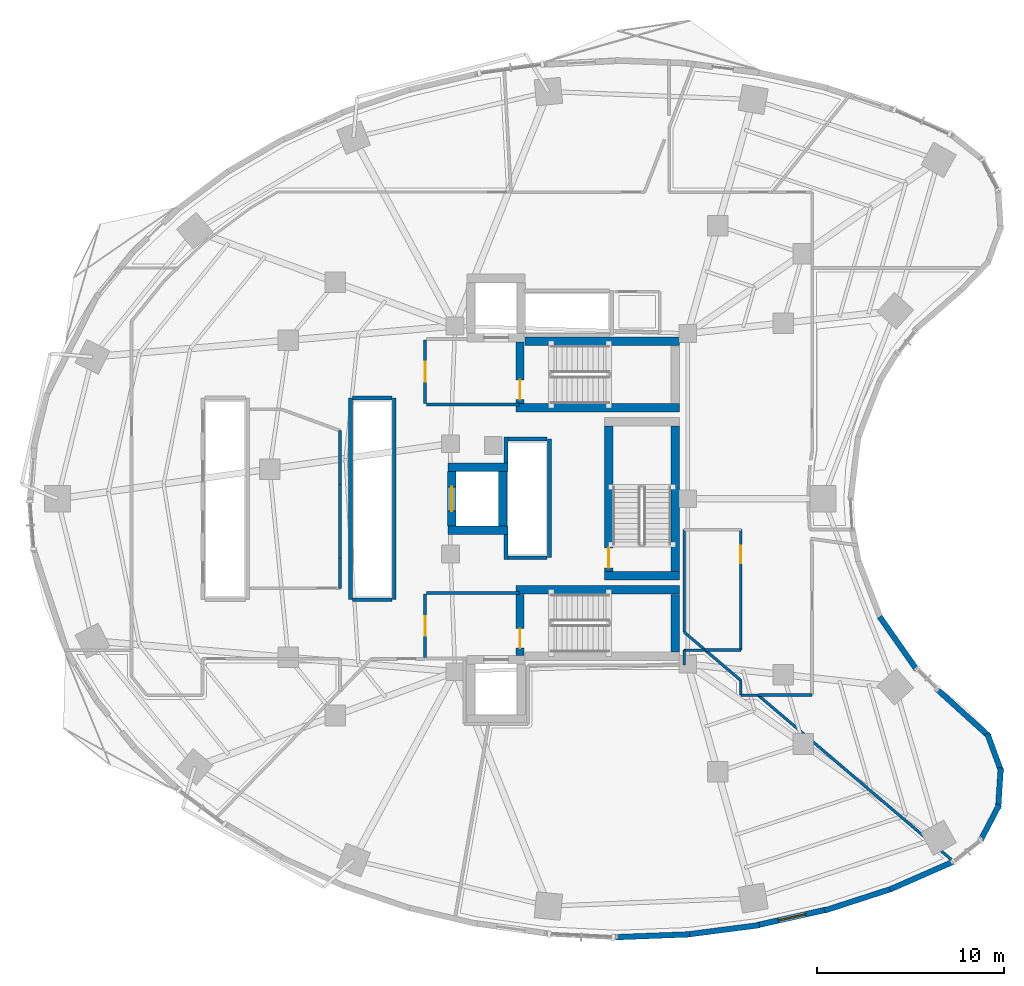
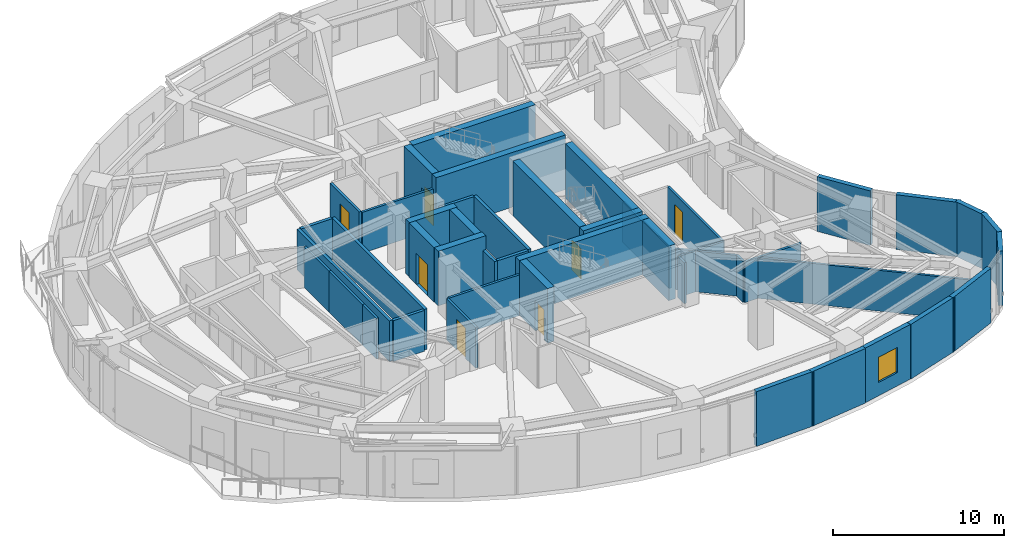
# One storey, part 9 of 14: 50 walls, 7 doors, 1 window, 8 openings.
"""IFC4 building model written with IfcOpenShell, lengths in metres."""

from ifc_helpers import new_model, si_unit, direction, frame, frame_2d, origin, place, context, subcontext, project, spatial, rectangle, extrude, material, layer, layer_set, type_object, element, fill, save


model = new_model("IFC4")

# Units and contexts
model_context = context("Model", 3, precision=1e-05, world=origin(), true_north=direction((0.0, 1.0)))
body_context = subcontext(model_context, "Body", "Model", "MODEL_VIEW")
ifc_project = project(units=[si_unit("LENGTHUNIT", "METRE"), si_unit("AREAUNIT", "SQUARE_METRE"), si_unit("VOLUMEUNIT", "CUBIC_METRE"), si_unit("PLANEANGLEUNIT", "RADIAN"), si_unit("MASSUNIT", "GRAM", prefix="KILO")], contexts=[model_context])

# Site, building, storey
site_placement = place(None, origin())
site = spatial("IfcSite", under=ifc_project, at=site_placement, CompositionType="ELEMENT")
building_placement = place(site_placement, origin())
building = spatial("IfcBuilding", under=site, at=building_placement, Name="Korentha Bioscience Tower", CompositionType="ELEMENT")
storey_placement = place(building_placement, frame((0.0, 0.0, 46.800048828125)))
storey = spatial("IfcBuildingStorey", under=building, at=storey_placement, Name="L10", CompositionType="ELEMENT", Elevation=46.800048828125)

# Wall, opening, door
ifc_material_1 = material(Name="Double-Stud Acoustic Gypsum", Category="gypsum")
ifc_layer_1 = layer(ifc_material_1, 0.14990234375, Name="Double-Stud Acoustic Gypsum")
ifc_layer_set_1 = layer_set([ifc_layer_1], Name="Double-Stud Acoustic Gypsum (IW-L150)")
wall_type_1 = type_object("IfcWallType", Name="Acoustic Laboratory Partition Wall 150", PredefinedType="PARTITIONING", material=ifc_layer_set_1)
wall_1_placement = place(storey_placement, frame((40.389892578125, 25.347900390625, 0.0), z_axis=(0.0, 0.0, 1.0), x_axis=(0.0, -1.0, 0.0)))
wall_1 = element("IfcWall", 1, at=wall_1_placement, inside=storey, type_object=wall_type_1, Name="L10 Biomechanical Motion Analysis Lab 04 Entrance Wall", PredefinedType="PARTITIONING", context=body_context, shape_type="SweptSolid", body=[
    extrude(rectangle(XDim=6.44580078125, YDim=0.14990234375, at=frame_2d((3.222900390625, 0.0))), origin(), (0.0, 0.0, 1.0), 2.909912109375),
])
opening_1_placement = place(wall_1_placement, frame((0.85205078125, 0.0, 0.0)))
opening_1 = element("IfcOpeningElement", 2, at=opening_1_placement, cuts=wall_1, Name="Opening ID-10L", PredefinedType="OPENING", context=body_context, shape_type="SweptSolid", body=[
    extrude(rectangle(XDim=0.949951171875, YDim=2.14990234375, at=frame_2d((0.47509765625, 1.074951171875))), frame((0.0, 0.08984375, 0.0), z_axis=(0.0, -1.0, 0.0), x_axis=(1.0, 0.0, 0.0)), (0.0, 0.0, 1.0), 0.1796875),
])
ifc_material_2 = material(Name="Phenolic Laminate Timber Core", Category="wood")
door_type_1 = type_object("IfcDoorType", Name="Laboratory Single Leaf Door 950x2150 Left", OperationType="SINGLE_SWING_LEFT", PredefinedType="DOOR", material=ifc_material_2)
door_1_placement = place(opening_1_placement, origin())
door_1 = element("IfcDoor", 3, at=door_1_placement, inside=storey, type_object=door_type_1, Name="L10 Biomechanical Motion Analysis Lab 04 Door", OperationType="SINGLE_SWING_LEFT", OverallHeight=2.14990234375, OverallWidth=0.949951171875, PredefinedType="DOOR", context=body_context, shape_type="SweptSolid", body=[
    extrude(rectangle(XDim=0.949951171875, YDim=2.14990234375, at=frame_2d((0.47509765625, 1.074951171875))), frame((0.0, 0.02490234375, 0.0), z_axis=(0.0, -1.0, 0.0), x_axis=(1.0, 0.0, 0.0)), (0.0, 0.0, 1.0), 0.050048828125),
])
fill(opening_1, door_1)

# Walls
wall_2_placement = place(storey_placement, frame((18.947998046875, 30.646728515625, 0.0), z_axis=(0.0, 0.0, 1.0), x_axis=(0.0, -1.0, 0.0)))
element("IfcWall", 4, at=wall_2_placement, inside=storey, type_object=wall_type_1, Name="L10 Interior Partition 017", PredefinedType="PARTITIONING", context=body_context, shape_type="SweptSolid", body=[
    extrude(rectangle(XDim=2.873291015625, YDim=0.14990234375, at=frame_2d((1.4365234375, 0.0))), origin(), (0.0, 0.0, 1.0), 2.909912109375),
])
wall_3_placement = place(storey_placement, frame((18.947998046875, 27.769287109375, 0.0), z_axis=(0.0, 0.0, 1.0), x_axis=(0.0, -1.0, 0.0)))
element("IfcWall", 5, at=wall_3_placement, inside=storey, type_object=wall_type_1, Name="L10 Interior Partition 018", PredefinedType="PARTITIONING", context=body_context, shape_type="SweptSolid", body=[
    extrude(rectangle(XDim=3.927978515625, YDim=0.14990234375, at=frame_2d((1.9638671875, 0.0))), origin(), (0.0, 0.0, 1.0), 2.909912109375),
])
wall_4_placement = place(storey_placement, frame((18.947998046875, 23.836669921875, 0.0), z_axis=(0.0, 0.0, 1.0), x_axis=(0.0, -1.0, 0.0)))
element("IfcWall", 6, at=wall_4_placement, inside=storey, type_object=wall_type_1, Name="L10 Interior Partition 019", PredefinedType="PARTITIONING", context=body_context, shape_type="SweptSolid", body=[
    extrude(rectangle(XDim=1.626708984375, YDim=0.14990234375, at=frame_2d((0.8134765625, 0.0))), origin(), (0.0, 0.0, 1.0), 2.909912109375),
])
wall_5_placement = place(storey_placement, frame((37.360107421875, 18.10009765625, 0.0), z_axis=(0.0, 0.0, 1.0), x_axis=(0.0, 1.0, 0.0)))
element("IfcWall", 7, at=wall_5_placement, inside=storey, type_object=wall_type_1, Name="L10 Interior Partition 033", PredefinedType="PARTITIONING", context=body_context, shape_type="SweptSolid", body=[
    extrude(rectangle(XDim=0.7978515625, YDim=0.14990234375, at=frame_2d((0.39892578125, 0.0))), origin(), (0.0, 0.0, 1.0), 2.909912109375),
])
wall_6_placement = place(storey_placement, frame((37.360107421875, 18.89794921875, 0.0), z_axis=(0.0, 0.0, 1.0), x_axis=(1.0, 0.0, 0.0)))
element("IfcWall", 8, at=wall_6_placement, inside=storey, type_object=wall_type_1, Name="L10 Interior Partition 034", PredefinedType="PARTITIONING", context=body_context, shape_type="SweptSolid", body=[
    extrude(rectangle(XDim=1.12548828125, YDim=0.14990234375, at=frame_2d((0.562744140625, 0.0))), origin(), (0.0, 0.0, 1.0), 2.909912109375),
])
wall_7_placement = place(storey_placement, frame((38.48828125, 18.905029296875, 0.0), z_axis=(0.0, 0.0, 1.0), x_axis=(-0.761520352861, 0.648140997144, 0.0)))
element("IfcWall", 9, at=wall_7_placement, inside=storey, type_object=wall_type_1, Name="L10 Interior Partition 035", PredefinedType="PARTITIONING", context=body_context, shape_type="SweptSolid", body=[
    extrude(rectangle(XDim=1.4814453125, YDim=0.14990234375, at=frame_2d((0.74072265625, 0.0))), origin(), (0.0, 0.0, 1.0), 2.909912109375),
])
wall_8_placement = place(storey_placement, frame((37.360107421875, 19.865234375, 0.0), z_axis=(0.0, 0.0, 1.0), x_axis=(0.0, 1.0, 0.0)))
element("IfcWall", 10, at=wall_8_placement, inside=storey, type_object=wall_type_1, Name="L10 Interior Partition 036", PredefinedType="PARTITIONING", context=body_context, shape_type="SweptSolid", body=[
    extrude(rectangle(XDim=5.482666015625, YDim=0.14990234375, at=frame_2d((2.7412109375, 0.0))), origin(), (0.0, 0.0, 1.0), 2.909912109375),
])
wall_9_placement = place(storey_placement, frame((40.389892578125, 18.902099609375, 0.0), z_axis=(0.0, 0.0, 1.0), x_axis=(-1.0, 0.0, 0.0)))
element("IfcWall", 11, at=wall_9_placement, inside=storey, type_object=wall_type_1, Name="L10 Interior Partition 038", PredefinedType="PARTITIONING", context=body_context, shape_type="SweptSolid", body=[
    extrude(rectangle(XDim=1.893310546875, YDim=0.14990234375, at=frame_2d((0.94677734375, 0.0))), origin(), (0.0, 0.0, 1.0), 2.909912109375),
])
wall_10_placement = place(storey_placement, frame((38.493896484375, 18.89501953125, 0.0), z_axis=(0.0, 0.0, 1.0), x_axis=(0.761508496716, -0.648154927027, 0.0)))
element("IfcWall", 12, at=wall_10_placement, inside=storey, type_object=wall_type_1, Name="L10 Interior Partition 039", PredefinedType="PARTITIONING", context=body_context, shape_type="SweptSolid", body=[
    extrude(rectangle(XDim=2.48974609375, YDim=0.14990234375, at=frame_2d((1.244873046875, 0.0))), origin(), (0.0, 0.0, 1.0), 2.909912109375),
])
wall_11_placement = place(storey_placement, frame((40.389892578125, 17.28125, 0.0), z_axis=(0.0, 0.0, 1.0), x_axis=(0.0, -1.0, 0.0)))
element("IfcWall", 13, at=wall_11_placement, inside=storey, type_object=wall_type_1, Name="L10 Interior Partition 040", PredefinedType="PARTITIONING", context=body_context, shape_type="SweptSolid", body=[
    extrude(rectangle(XDim=0.78125, YDim=0.14990234375, at=frame_2d((0.390625, 0.0))), origin(), (0.0, 0.0, 1.0), 2.909912109375),
])
wall_12_placement = place(storey_placement, frame((40.39990234375, 16.489990234375, 0.0), z_axis=(0.0, 0.0, 1.0), x_axis=(1.0, 0.0, 0.0)))
element("IfcWall", 14, at=wall_12_placement, inside=storey, type_object=wall_type_1, Name="L10 Interior Partition 041", PredefinedType="PARTITIONING", context=body_context, shape_type="SweptSolid", body=[
    extrude(rectangle(XDim=0.919677734375, YDim=0.14990234375, at=frame_2d((0.4599609375, 0.0))), origin(), (0.0, 0.0, 1.0), 2.909912109375),
])
wall_13_placement = place(storey_placement, frame((41.319580078125, 16.489990234375, 0.0), z_axis=(0.0, 0.0, 1.0), x_axis=(0.761541613682, -0.648116016335, 0.0)))
element("IfcWall", 15, at=wall_13_placement, inside=storey, type_object=wall_type_1, Name="L10 Interior Partition 042", PredefinedType="PARTITIONING", context=body_context, shape_type="SweptSolid", body=[
    extrude(rectangle(XDim=13.833740234375, YDim=0.14990234375, at=frame_2d((6.9169921875, 0.0))), origin(), (0.0, 0.0, 1.0), 2.909912109375),
])

# Wall, opening, door
ifc_material_3 = material(Name="Gypsum-Clad Steel Stud", Category="steel")
ifc_layer_2 = layer(ifc_material_3, 0.159912109375, Name="Gypsum-Clad Steel Stud")
ifc_layer_set_2 = layer_set([ifc_layer_2], Name="Gypsum-Clad Steel Stud (IW-C160)")
wall_type_2 = type_object("IfcWallType", Name="Fire-Rated Corridor Partition Wall 160", PredefinedType="PARTITIONING", material=ifc_layer_set_2)
wall_14_placement = place(storey_placement, frame((23.5, 32.10009765625, 0.0), z_axis=(0.0, 0.0, 1.0), x_axis=(0.0, 1.0, 0.0)))
wall_14 = element("IfcWall", 16, at=wall_14_placement, inside=storey, type_object=wall_type_2, Name="L10 FFLN-CW Rated Enclosure Wall", PredefinedType="PARTITIONING", context=body_context, shape_type="SweptSolid", body=[
    extrude(rectangle(XDim=3.39990234375, YDim=0.159912109375, at=frame_2d((1.699951171875, 0.0))), origin(), (0.0, 0.0, 1.0), 2.909912109375),
])
opening_2_placement = place(wall_14_placement, frame((1.175048828125, 0.0, 0.0)))
opening_2 = element("IfcOpeningElement", 17, at=opening_2_placement, cuts=wall_14, Name="Opening FD-90L", PredefinedType="OPENING", context=body_context, shape_type="SweptSolid", body=[
    extrude(rectangle(XDim=1.050048828125, YDim=2.14990234375, at=frame_2d((0.52490234375, 1.074951171875))), frame((0.0, 0.0947265625, 0.0), z_axis=(0.0, -1.0, 0.0), x_axis=(1.0, 0.0, 0.0)), (0.0, 0.0, 1.0), 0.189697265625),
])
ifc_material_4 = material(Name="Powder-Coated Fire-Rated Steel", Category="steel")
door_type_2 = type_object("IfcDoorType", Name="Stairwell Fire Exit Door 1050x2150 Left", OperationType="SINGLE_SWING_LEFT", PredefinedType="DOOR", material=ifc_material_4)
door_2_placement = place(opening_2_placement, origin())
door_2 = element("IfcDoor", 18, at=door_2_placement, inside=storey, type_object=door_type_2, Name="L10 North Firefighting Lobby Door", OperationType="SINGLE_SWING_LEFT", OverallHeight=2.14990234375, OverallWidth=1.050048828125, PredefinedType="DOOR", context=body_context, shape_type="SweptSolid", body=[
    extrude(rectangle(XDim=1.050048828125, YDim=2.14990234375, at=frame_2d((0.52490234375, 1.074951171875))), frame((0.0, 0.02490234375, 0.0), z_axis=(0.0, -1.0, 0.0), x_axis=(1.0, 0.0, 0.0)), (0.0, 0.0, 1.0), 0.050048828125),
])
fill(opening_2, door_2)

wall_15_placement = place(storey_placement, frame((23.5, 18.5, 0.0), z_axis=(0.0, 0.0, 1.0), x_axis=(0.0, 1.0, 0.0)))
wall_15 = element("IfcWall", 19, at=wall_15_placement, inside=storey, type_object=wall_type_2, Name="L10 FFLS-CW Rated Enclosure Wall", PredefinedType="PARTITIONING", context=body_context, shape_type="SweptSolid", body=[
    extrude(rectangle(XDim=3.39990234375, YDim=0.159912109375, at=frame_2d((1.699951171875, 0.0))), origin(), (0.0, 0.0, 1.0), 2.909912109375),
])
opening_3_placement = place(wall_15_placement, frame((1.175048828125, 0.0, 0.0)))
opening_3 = element("IfcOpeningElement", 20, at=opening_3_placement, cuts=wall_15, Name="Opening FD-90L", PredefinedType="OPENING", context=body_context, shape_type="SweptSolid", body=[
    extrude(rectangle(XDim=1.050048828125, YDim=2.14990234375, at=frame_2d((0.52490234375, 1.074951171875))), frame((0.0, 0.0947265625, 0.0), z_axis=(0.0, -1.0, 0.0), x_axis=(1.0, 0.0, 0.0)), (0.0, 0.0, 1.0), 0.189697265625),
])
door_3_placement = place(opening_3_placement, origin())
door_3 = element("IfcDoor", 21, at=door_3_placement, inside=storey, type_object=door_type_2, Name="L10 South Firefighting Lobby Door", OperationType="SINGLE_SWING_LEFT", OverallHeight=2.14990234375, OverallWidth=1.050048828125, PredefinedType="DOOR", context=body_context, shape_type="SweptSolid", body=[
    extrude(rectangle(XDim=1.050048828125, YDim=2.14990234375, at=frame_2d((0.52490234375, 1.074951171875))), frame((0.0, 0.02490234375, 0.0), z_axis=(0.0, -1.0, 0.0), x_axis=(1.0, 0.0, 0.0)), (0.0, 0.0, 1.0), 0.050048828125),
])
fill(opening_3, door_3)

# Walls
for number, where, z_axis, x_axis, name in (
    (22, (23.580078125, 32.050048828125, 0.0), (0.0, 0.0, 1.0), (1.0, 0.0, 0.0), "L10 Firefighting Lobby Return Wall FFLN-S"),
    (23, (23.580078125, 21.949951171875, 0.0), (0.0, 0.0, 1.0), (1.0, 0.0, 0.0), "L10 Firefighting Lobby Return Wall FFLS-N"),
):
    element("IfcWall", number, at=place(storey_placement, frame(where, z_axis=z_axis, x_axis=x_axis)), inside=storey, type_object=wall_type_2, Name=name, PredefinedType="PARTITIONING", context=body_context, shape_type="SweptSolid", body=[
        extrude(rectangle(XDim=4.969970703125, YDim=0.159912109375, at=frame_2d((2.48486328125, 0.0))), origin(), (0.0, 0.0, 1.0), 2.909912109375),
    ])
wall_16_placement = place(storey_placement, frame((41.335205078125, 16.489990234375, 0.0), z_axis=(0.0, 0.0, 1.0), x_axis=(1.0, 0.0, 0.0)))
element("IfcWall", 24, at=wall_16_placement, inside=storey, type_object=wall_type_2, Name="L10 Interior Partition 044", PredefinedType="PARTITIONING", context=body_context, shape_type="SweptSolid", body=[
    extrude(rectangle(XDim=2.86474609375, YDim=0.159912109375, at=frame_2d((1.432373046875, 0.0))), origin(), (0.0, 0.0, 1.0), 2.909912109375),
])

# Wall, opening, window
ifc_material_5 = material(Name="Honed Limestone Precast Concrete C40", Category="masonry")
ifc_layer_3 = layer(ifc_material_5, 0.300048828125, Name="Honed Limestone Precast Concrete C40")
ifc_layer_set_3 = layer_set([ifc_layer_3], Name="Honed Limestone Precast Concrete C40 (EW-ST300)")
wall_type_3 = type_object("IfcWallType", Name="Honed Limestone Cavity Spandrel Wall 300", PredefinedType="STANDARD", material=ifc_layer_set_3)
wall_17_placement = place(storey_placement, frame((41.239990234375, 4.17919921875, 0.0), z_axis=(0.0, 0.0, 1.0), x_axis=(0.9758772609, 0.218319883791, 0.0)))
wall_17 = element("IfcWall", 25, at=wall_17_placement, inside=storey, type_object=wall_type_3, Name="L10 Honed Limestone Spandrel Wall 34", PredefinedType="STANDARD", context=body_context, shape_type="SweptSolid", body=[
    extrude(rectangle(XDim=3.869140625, YDim=0.300048828125, at=frame_2d((1.9345703125, 0.0))), origin(), (0.0, 0.0, 1.0), 3.89990234375),
])
opening_4_placement = place(wall_17_placement, frame((1.1845703125, 0.0, 0.949951171875)))
opening_4 = element("IfcOpeningElement", 26, at=opening_4_placement, cuts=wall_17, Name="Opening WN-02", PredefinedType="OPENING", context=body_context, shape_type="SweptSolid", body=[
    extrude(rectangle(XDim=1.5, YDim=1.800048828125, at=frame_2d((0.75, 0.89990234375))), frame((0.0, 0.1650390625, 0.0), z_axis=(0.0, -1.0, 0.0), x_axis=(1.0, 0.0, 0.0)), (0.0, 0.0, 1.0), 0.329833984375),
])
ifc_material_6 = material(Name="Thermally Broken Aluminium Triple Glazing", Category="aluminium")
window_type = type_object("IfcWindowType", Name="Acoustic Operable Office Window 1500x1800", PartitioningType="DOUBLE_PANEL_VERTICAL", PredefinedType="WINDOW", material=ifc_material_6)
window_placement = place(opening_4_placement, origin())
window = element("IfcWindow", 27, at=window_placement, inside=storey, type_object=window_type, Name="L10 Facade Window 34", OverallHeight=1.800048828125, OverallWidth=1.5, PartitioningType="DOUBLE_PANEL_VERTICAL", PredefinedType="WINDOW", context=body_context, shape_type="SweptSolid", body=[
    extrude(rectangle(XDim=1.5, YDim=1.800048828125, at=frame_2d((0.75, 0.89990234375))), frame((0.0, 0.030029296875, 0.0), z_axis=(0.0, -1.0, 0.0), x_axis=(1.0, 0.0, 0.0)), (0.0, 0.0, 1.0), 0.06005859375),
])
fill(opening_4, window)

# Walls
wall_18_placement = place(storey_placement, frame((33.66796875, 3.53759765625, 0.0), z_axis=(0.0, 0.0, 1.0), x_axis=(0.999245411623, 0.038840794937, 0.0)))
element("IfcWall", 28, at=wall_18_placement, inside=storey, type_object=wall_type_3, Name="L10 Limestone Perimeter Closure Wall 32", PredefinedType="STANDARD", context=body_context, shape_type="SweptSolid", body=[
    extrude(rectangle(XDim=3.978759765625, YDim=0.300048828125, at=frame_2d((1.9892578125, 0.0))), origin(), (0.0, 0.0, 1.0), 3.89990234375),
])
wall_19_placement = place(storey_placement, frame((37.471923828125, 3.677734375, 0.0), z_axis=(0.0, 0.0, 1.0), x_axis=(0.991734095036, 0.128310111617, 0.0)))
element("IfcWall", 29, at=wall_19_placement, inside=storey, type_object=wall_type_3, Name="L10 Limestone Perimeter Closure Wall 33", PredefinedType="STANDARD", context=body_context, shape_type="SweptSolid", body=[
    extrude(rectangle(XDim=3.955810546875, YDim=0.300048828125, at=frame_2d((1.97802734375, 0.0))), origin(), (0.0, 0.0, 1.0), 3.89990234375),
])
wall_20_placement = place(storey_placement, frame((44.872802734375, 4.963134765625, 0.0), z_axis=(0.0, 0.0, 1.0), x_axis=(0.950965833732, 0.309295947393, 0.0)))
element("IfcWall", 30, at=wall_20_placement, inside=storey, type_object=wall_type_3, Name="L10 Limestone Perimeter Closure Wall 35", PredefinedType="STANDARD", context=body_context, shape_type="SweptSolid", body=[
    extrude(rectangle(XDim=3.840087890625, YDim=0.300048828125, at=frame_2d((1.919921875, 0.0))), origin(), (0.0, 0.0, 1.0), 3.89990234375),
])
wall_21_placement = place(storey_placement, frame((48.3623046875, 6.089111328125, 0.0), z_axis=(0.0, 0.0, 1.0), x_axis=(0.915945168042, 0.401303437738, 0.0)))
element("IfcWall", 31, at=wall_21_placement, inside=storey, type_object=wall_type_3, Name="L10 Limestone Perimeter Closure Wall 36", PredefinedType="STANDARD", context=body_context, shape_type="SweptSolid", body=[
    extrude(rectangle(XDim=3.75244140625, YDim=0.300048828125, at=frame_2d((1.876220703125, 0.0))), origin(), (0.0, 0.0, 1.0), 3.89990234375),
])
wall_22_placement = place(storey_placement, frame((53.20751953125, 8.691650390625, 0.0), z_axis=(0.0, 0.0, 1.0), x_axis=(0.463035066673, 0.886339961319, 0.0)))
element("IfcWall", 32, at=wall_22_placement, inside=storey, type_object=wall_type_3, Name="L10 Limestone Perimeter Closure Wall 38", PredefinedType="STANDARD", context=body_context, shape_type="SweptSolid", body=[
    extrude(rectangle(XDim=2.1875, YDim=0.300048828125, at=frame_2d((1.09375, 0.0))), origin(), (0.0, 0.0, 1.0), 3.89990234375),
])
for number, where, z_axis, x_axis, name in (
    (33, (54.16259765625, 10.42431640625, 0.0), (0.0, 0.0, 1.0), (0.064615302336, 0.99791024782, 0.0), "L10 Limestone Perimeter Closure Wall 39"),
    (34, (54.334716796875, 12.39501953125, 0.0), (0.0, 0.0, 1.0), (-0.344939866054, 0.938624785954, 0.0), "L10 Limestone Perimeter Closure Wall 40"),
):
    element("IfcWall", number, at=place(storey_placement, frame(where, z_axis=z_axis, x_axis=x_axis)), inside=storey, type_object=wall_type_3, Name=name, PredefinedType="STANDARD", context=body_context, shape_type="SweptSolid", body=[
        extrude(rectangle(XDim=2.187744140625, YDim=0.300048828125, at=frame_2d((1.09375, 0.0))), origin(), (0.0, 0.0, 1.0), 3.89990234375),
    ])
wall_23_placement = place(storey_placement, frame((53.704345703125, 14.26416015625, 0.0), z_axis=(0.0, 0.0, 1.0), x_axis=(-0.74117794387, 0.671308614216, 0.0)))
element("IfcWall", 35, at=wall_23_placement, inside=storey, type_object=wall_type_3, Name="L10 Limestone Perimeter Closure Wall 41", PredefinedType="STANDARD", context=body_context, shape_type="SweptSolid", body=[
    extrude(rectangle(XDim=3.815673828125, YDim=0.300048828125, at=frame_2d((1.90771484375, 0.0))), origin(), (0.0, 0.0, 1.0), 3.89990234375),
])
wall_24_placement = place(storey_placement, frame((49.79248046875, 17.8779296875, 0.0), z_axis=(0.0, 0.0, 1.0), x_axis=(-0.573576992806, 0.819151654655, 0.0)))
element("IfcWall", 36, at=wall_24_placement, inside=storey, type_object=wall_type_3, Name="L10 Limestone Perimeter Closure Wall 44", PredefinedType="STANDARD", context=body_context, shape_type="SweptSolid", body=[
    extrude(rectangle(XDim=3.429931640625, YDim=0.300048828125, at=frame_2d((1.71484375, 0.0))), origin(), (0.0, 0.0, 1.0), 3.89990234375),
])
ifc_material_7 = material(Name="Autoclaved Aerated Concrete Block C25", Category="concrete")
ifc_layer_4 = layer(ifc_material_7, 0.199951171875, Name="Autoclaved Aerated Concrete Block C25")
ifc_layer_set_4 = layer_set([ifc_layer_4], Name="Autoclaved Aerated Concrete Block C25 (IW-S200)")
wall_type_4 = type_object("IfcWallType", Name="Lift and Riser Shaft Enclosure Wall 200", PredefinedType="PARTITIONING", material=ifc_layer_set_4)
for number, where, z_axis, x_axis, name in (
    (37, (19.5, 21.60009765625, 0.0), (0.0, 0.0, 1.0), (0.0, 1.0, 0.0), "L10 Lift Bank MID Shaft Wall -X"),
    (38, (21.85009765625, 21.60009765625, 0.0), (0.0, 0.0, 1.0), (0.0, 1.0, 0.0), "L10 Lift Bank MID Shaft Wall +X"),
):
    element("IfcWall", number, at=place(storey_placement, frame(where, z_axis=z_axis, x_axis=x_axis)), inside=storey, type_object=wall_type_4, Name=name, PredefinedType="PARTITIONING", context=body_context, shape_type="SweptSolid", body=[
        extrude(rectangle(XDim=10.7998046875, YDim=0.199951171875, at=frame_2d((5.39990234375, 0.0))), origin(), (0.0, 0.0, 1.0), 2.909912109375),
    ])
for number, where, z_axis, x_axis, name in (
    (39, (19.6201171875, 21.60009765625, 0.0), (0.0, 0.0, 1.0), (1.0, 0.0, 0.0), "L10 Lift Bank MID Shaft Wall -Y"),
    (40, (19.6201171875, 32.39990234375, 0.0), (0.0, 0.0, 1.0), (1.0, 0.0, 0.0), "L10 Lift Bank MID Shaft Wall +Y"),
):
    element("IfcWall", number, at=place(storey_placement, frame(where, z_axis=z_axis, x_axis=x_axis)), inside=storey, type_object=wall_type_4, Name=name, PredefinedType="PARTITIONING", context=body_context, shape_type="SweptSolid", body=[
        extrude(rectangle(XDim=2.10986328125, YDim=0.199951171875, at=frame_2d((1.054931640625, 0.0))), origin(), (0.0, 0.0, 1.0), 2.909912109375),
    ])
wall_25_placement = place(storey_placement, frame((27.830078125, 23.75, 0.0), z_axis=(0.0, 0.0, 1.0), x_axis=(0.0, 1.0, 0.0)))
element("IfcWall", 41, at=wall_25_placement, inside=storey, type_object=wall_type_4, Name="L10 Lift Bank HIGH Shaft Wall -XS", PredefinedType="PARTITIONING", context=body_context, shape_type="SweptSolid", body=[
    extrude(rectangle(XDim=1.341064453125, YDim=0.199951171875, at=frame_2d((0.67041015625, 0.0))), origin(), (0.0, 0.0, 1.0), 2.909912109375),
])
wall_26_placement = place(storey_placement, frame((27.830078125, 28.908935546875, 0.0), z_axis=(0.0, 0.0, 1.0), x_axis=(0.0, 1.0, 0.0)))
element("IfcWall", 42, at=wall_26_placement, inside=storey, type_object=wall_type_4, Name="L10 Lift Bank HIGH Shaft Wall -XN", PredefinedType="PARTITIONING", context=body_context, shape_type="SweptSolid", body=[
    extrude(rectangle(XDim=1.39111328125, YDim=0.199951171875, at=frame_2d((0.695556640625, 0.0))), origin(), (0.0, 0.0, 1.0), 2.909912109375),
])
wall_27_placement = place(storey_placement, frame((30.14990234375, 23.85009765625, 0.0), z_axis=(0.0, 0.0, 1.0), x_axis=(0.0, 1.0, 0.0)))
element("IfcWall", 43, at=wall_27_placement, inside=storey, type_object=wall_type_4, Name="L10 Lift Bank HIGH Shaft Wall +X", PredefinedType="PARTITIONING", context=body_context, shape_type="SweptSolid", body=[
    extrude(rectangle(XDim=6.349853515625, YDim=0.199951171875, at=frame_2d((3.1748046875, 0.0))), origin(), (0.0, 0.0, 1.0), 2.909912109375),
])
for number, where, z_axis, x_axis, name in (
    (44, (27.93408203125, 23.85009765625, 0.0), (0.0, 0.0, 1.0), (1.0, 0.0, 0.0), "L10 Lift Bank HIGH Shaft Wall -Y"),
    (45, (27.93408203125, 30.199951171875, 0.0), (0.0, 0.0, 1.0), (1.0, 0.0, 0.0), "L10 Lift Bank HIGH Shaft Wall +Y"),
):
    element("IfcWall", number, at=place(storey_placement, frame(where, z_axis=z_axis, x_axis=x_axis)), inside=storey, type_object=wall_type_4, Name=name, PredefinedType="PARTITIONING", context=body_context, shape_type="SweptSolid", body=[
        extrude(rectangle(XDim=2.095947265625, YDim=0.199951171875, at=frame_2d((1.0478515625, 0.0))), origin(), (0.0, 0.0, 1.0), 2.909912109375),
    ])
ifc_material_8 = material(Name="Concrete C80", Category="concrete")
ifc_layer_5 = layer(ifc_material_8, 0.449951171875, Name="Concrete C80")
ifc_layer_set_5 = layer_set([ifc_layer_5], Name="Concrete C80 (CW-C80)")
wall_type_5 = type_object("IfcWallType", Name="Lower Core Shear Wall 450", PredefinedType="SHEAR", material=ifc_layer_set_5)
wall_28_placement = place(storey_placement, frame((28.85205078125, 35.425048828125, 0.0), z_axis=(0.0, 0.0, 1.0), x_axis=(1.0, 0.0, 0.0)))
element("IfcWall", 46, at=wall_28_placement, inside=storey, type_object=wall_type_5, Name="L10 Core Shear Wall ST1-N", PredefinedType="SHEAR", context=body_context, shape_type="SweptSolid", body=[
    extrude(rectangle(XDim=8.248046875, YDim=0.449951171875, at=frame_2d((4.1240234375, 0.0))), origin(), (0.0, 0.0, 1.0), 3.89990234375),
])
wall_29_placement = place(storey_placement, frame((28.35009765625, 31.875, 0.0), z_axis=(0.0, 0.0, 1.0), x_axis=(1.0, 0.0, 0.0)))
element("IfcWall", 47, at=wall_29_placement, inside=storey, type_object=wall_type_5, Name="L10 Core Shear Wall ST1-S", PredefinedType="SHEAR", context=body_context, shape_type="SweptSolid", body=[
    extrude(rectangle(XDim=8.75, YDim=0.449951171875, at=frame_2d((4.375, 0.0))), origin(), (0.0, 0.0, 1.0), 3.89990234375),
])

# Wall, opening, door
wall_30_placement = place(storey_placement, frame((28.574951171875, 32.110107421875, 0.0), z_axis=(0.0, 0.0, 1.0), x_axis=(0.0, 1.0, 0.0)))
wall_30 = element("IfcWall", 48, at=wall_30_placement, inside=storey, type_object=wall_type_5, Name="L10 Core Shear Wall ST1-W", PredefinedType="SHEAR", context=body_context, shape_type="SweptSolid", body=[
    extrude(rectangle(XDim=3.282958984375, YDim=0.449951171875, at=frame_2d((1.6416015625, 0.0))), origin(), (0.0, 0.0, 1.0), 3.89990234375),
])
opening_5_placement = place(wall_30_placement, frame((0.199951171875, 0.0, 0.0)))
opening_5 = element("IfcOpeningElement", 49, at=opening_5_placement, cuts=wall_30, Name="Opening FD-90L", PredefinedType="OPENING", context=body_context, shape_type="SweptSolid", body=[
    extrude(rectangle(XDim=1.050048828125, YDim=2.14990234375, at=frame_2d((0.52490234375, 1.074951171875))), frame((0.0, 0.23974609375, 0.0), z_axis=(0.0, -1.0, 0.0), x_axis=(1.0, 0.0, 0.0)), (0.0, 0.0, 1.0), 0.479736328125),
])
door_4_placement = place(opening_5_placement, origin())
door_4 = element("IfcDoor", 50, at=door_4_placement, inside=storey, type_object=door_type_2, Name="L10 ST-1 Fire Exit Stair Door", OperationType="SINGLE_SWING_LEFT", OverallHeight=2.14990234375, OverallWidth=1.050048828125, PredefinedType="DOOR", context=body_context, shape_type="SweptSolid", body=[
    extrude(rectangle(XDim=1.050048828125, YDim=2.14990234375, at=frame_2d((0.52490234375, 1.074951171875))), frame((0.0, 0.02490234375, 0.0), z_axis=(0.0, -1.0, 0.0), x_axis=(1.0, 0.0, 0.0)), (0.0, 0.0, 1.0), 0.050048828125),
])
fill(opening_5, door_4)

# Walls
wall_31_placement = place(storey_placement, frame((28.35009765625, 22.125, 0.0), z_axis=(0.0, 0.0, 1.0), x_axis=(1.0, 0.0, 0.0)))
element("IfcWall", 51, at=wall_31_placement, inside=storey, type_object=wall_type_5, Name="L10 Core Shear Wall ST2-N", PredefinedType="SHEAR", context=body_context, shape_type="SweptSolid", body=[
    extrude(rectangle(XDim=8.75, YDim=0.449951171875, at=frame_2d((4.375, 0.0))), origin(), (0.0, 0.0, 1.0), 3.89990234375),
])
wall_32_placement = place(storey_placement, frame((36.875, 18.81005859375, 0.0), z_axis=(0.0, 0.0, 1.0), x_axis=(0.0, 1.0, 0.0)))
element("IfcWall", 52, at=wall_32_placement, inside=storey, type_object=wall_type_5, Name="L10 Core Shear Wall ST2-E", PredefinedType="SHEAR", context=body_context, shape_type="SweptSolid", body=[
    extrude(rectangle(XDim=3.079833984375, YDim=0.449951171875, at=frame_2d((1.5400390625, 0.0))), origin(), (0.0, 0.0, 1.0), 3.89990234375),
])

# Wall, opening, door
wall_33_placement = place(storey_placement, frame((28.574951171875, 18.60693359375, 0.0), z_axis=(0.0, 0.0, 1.0), x_axis=(0.0, 1.0, 0.0)))
wall_33 = element("IfcWall", 53, at=wall_33_placement, inside=storey, type_object=wall_type_5, Name="L10 Core Shear Wall ST2-W", PredefinedType="SHEAR", context=body_context, shape_type="SweptSolid", body=[
    extrude(rectangle(XDim=3.282958984375, YDim=0.449951171875, at=frame_2d((1.6416015625, 0.0))), origin(), (0.0, 0.0, 1.0), 3.89990234375),
])
opening_6_placement = place(wall_33_placement, frame((0.403076171875, 0.0, 0.0)))
opening_6 = element("IfcOpeningElement", 54, at=opening_6_placement, cuts=wall_33, Name="Opening FD-90L", PredefinedType="OPENING", context=body_context, shape_type="SweptSolid", body=[
    extrude(rectangle(XDim=1.050048828125, YDim=2.14990234375, at=frame_2d((0.52490234375, 1.074951171875))), frame((0.0, 0.23974609375, 0.0), z_axis=(0.0, -1.0, 0.0), x_axis=(1.0, 0.0, 0.0)), (0.0, 0.0, 1.0), 0.479736328125),
])
door_5_placement = place(opening_6_placement, origin())
door_5 = element("IfcDoor", 55, at=door_5_placement, inside=storey, type_object=door_type_2, Name="L10 ST-2 Fire Exit Stair Door", OperationType="SINGLE_SWING_LEFT", OverallHeight=2.14990234375, OverallWidth=1.050048828125, PredefinedType="DOOR", context=body_context, shape_type="SweptSolid", body=[
    extrude(rectangle(XDim=1.050048828125, YDim=2.14990234375, at=frame_2d((0.52490234375, 1.074951171875))), frame((0.0, 0.02490234375, 0.0), z_axis=(0.0, -1.0, 0.0), x_axis=(1.0, 0.0, 0.0)), (0.0, 0.0, 1.0), 0.050048828125),
])
fill(opening_6, door_5)

# Walls
wall_34_placement = place(storey_placement, frame((33.10009765625, 22.875, 0.0), z_axis=(0.0, 0.0, 1.0), x_axis=(1.0, 0.0, 0.0)))
element("IfcWall", 56, at=wall_34_placement, inside=storey, type_object=wall_type_5, Name="L10 Core Shear Wall ST3-S", PredefinedType="SHEAR", context=body_context, shape_type="SweptSolid", body=[
    extrude(rectangle(XDim=4.0, YDim=0.449951171875, at=frame_2d((2.0, 0.0))), origin(), (0.0, 0.0, 1.0), 3.89990234375),
])
wall_35_placement = place(storey_placement, frame((36.875, 23.110107421875, 0.0), z_axis=(0.0, 0.0, 1.0), x_axis=(0.0, 1.0, 0.0)))
element("IfcWall", 57, at=wall_35_placement, inside=storey, type_object=wall_type_5, Name="L10 Core Shear Wall ST3-E", PredefinedType="SHEAR", context=body_context, shape_type="SweptSolid", body=[
    extrude(rectangle(XDim=7.77978515625, YDim=0.449951171875, at=frame_2d((3.889892578125, 0.0))), origin(), (0.0, 0.0, 1.0), 3.89990234375),
])

# Wall, opening, door
wall_36_placement = place(storey_placement, frame((33.324951171875, 23.110107421875, 0.0), z_axis=(0.0, 0.0, 1.0), x_axis=(0.0, 1.0, 0.0)))
wall_36 = element("IfcWall", 58, at=wall_36_placement, inside=storey, type_object=wall_type_5, Name="L10 Core Shear Wall ST3-W", PredefinedType="SHEAR", context=body_context, shape_type="SweptSolid", body=[
    extrude(rectangle(XDim=7.77978515625, YDim=0.449951171875, at=frame_2d((3.889892578125, 0.0))), origin(), (0.0, 0.0, 1.0), 3.89990234375),
])
opening_7_placement = place(wall_36_placement, frame((0.199951171875, 0.0, 0.0)))
opening_7 = element("IfcOpeningElement", 59, at=opening_7_placement, cuts=wall_36, Name="Opening FD-90L", PredefinedType="OPENING", context=body_context, shape_type="SweptSolid", body=[
    extrude(rectangle(XDim=1.050048828125, YDim=2.14990234375, at=frame_2d((0.52490234375, 1.074951171875))), frame((0.0, 0.23974609375, 0.0), z_axis=(0.0, -1.0, 0.0), x_axis=(1.0, 0.0, 0.0)), (0.0, 0.0, 1.0), 0.479736328125),
])
door_6_placement = place(opening_7_placement, origin())
door_6 = element("IfcDoor", 60, at=door_6_placement, inside=storey, type_object=door_type_2, Name="L10 ST-3 Fire Exit Stair Door", OperationType="SINGLE_SWING_LEFT", OverallHeight=2.14990234375, OverallWidth=1.050048828125, PredefinedType="DOOR", context=body_context, shape_type="SweptSolid", body=[
    extrude(rectangle(XDim=1.050048828125, YDim=2.14990234375, at=frame_2d((0.52490234375, 1.074951171875))), frame((0.0, 0.02490234375, 0.0), z_axis=(0.0, -1.0, 0.0), x_axis=(1.0, 0.0, 0.0)), (0.0, 0.0, 1.0), 0.050048828125),
])
fill(opening_7, door_6)

# Walls
for number, where, z_axis, x_axis, name in (
    (61, (24.719970703125, 28.679931640625, 0.0), (0.0, 0.0, 1.0), (1.0, 0.0, 0.0), "L10 Core Shear Wall SVL1-N"),
    (62, (24.719970703125, 25.320068359375, 0.0), (0.0, 0.0, 1.0), (1.0, 0.0, 0.0), "L10 Core Shear Wall SVL1-S"),
):
    element("IfcWall", number, at=place(storey_placement, frame(where, z_axis=z_axis, x_axis=x_axis)), inside=storey, type_object=wall_type_5, Name=name, PredefinedType="SHEAR", context=body_context, shape_type="SweptSolid", body=[
        extrude(rectangle(XDim=3.2099609375, YDim=0.449951171875, at=frame_2d((1.60498046875, 0.0))), origin(), (0.0, 0.0, 1.0), 3.89990234375),
    ])

# Wall, opening, door
wall_37_placement = place(storey_placement, frame((24.919921875, 25.547119140625, 0.0), z_axis=(0.0, 0.0, 1.0), x_axis=(0.0, 1.0, 0.0)))
wall_37 = element("IfcWall", 63, at=wall_37_placement, inside=storey, type_object=wall_type_5, Name="L10 Core Shear Wall SVL1-W", PredefinedType="SHEAR", context=body_context, shape_type="SweptSolid", body=[
    extrude(rectangle(XDim=2.90576171875, YDim=0.449951171875, at=frame_2d((1.452880859375, 0.0))), origin(), (0.0, 0.0, 1.0), 3.89990234375),
])
opening_8_placement = place(wall_37_placement, frame((0.7900390625, 0.0, 0.0)))
opening_8 = element("IfcOpeningElement", 64, at=opening_8_placement, cuts=wall_37, Name="Opening LD-13", PredefinedType="OPENING", context=body_context, shape_type="SweptSolid", body=[
    extrude(rectangle(XDim=1.300048828125, YDim=2.199951171875, at=frame_2d((0.64990234375, 1.10009765625))), frame((0.0, 0.23974609375, 0.0), z_axis=(0.0, -1.0, 0.0), x_axis=(1.0, 0.0, 0.0)), (0.0, 0.0, 1.0), 0.479736328125),
])
ifc_material_9 = material(Name="Brushed Stainless Steel 316", Category="steel")
door_type_3 = type_object("IfcDoorType", Name="Service & Firefighting Lift Landing Door 1300x2300", OperationType="DOUBLE_DOOR_SLIDING", PredefinedType="DOOR", material=ifc_material_9)
door_7_placement = place(opening_8_placement, origin())
door_7 = element("IfcDoor", 65, at=door_7_placement, inside=storey, type_object=door_type_3, Name="L10 SVL-1 Sliding Lift Landing Door", OperationType="DOUBLE_DOOR_SLIDING", OverallHeight=2.199951171875, OverallWidth=1.300048828125, PredefinedType="DOOR", context=body_context, shape_type="SweptSolid", body=[
    extrude(rectangle(XDim=1.300048828125, YDim=2.199951171875, at=frame_2d((0.64990234375, 1.10009765625))), frame((0.0, 0.02490234375, 0.0), z_axis=(0.0, -1.0, 0.0), x_axis=(1.0, 0.0, 0.0)), (0.0, 0.0, 1.0), 0.050048828125),
])
fill(opening_8, door_7)

# Wall
wall_38_placement = place(storey_placement, frame((27.64990234375, 25.547119140625, 0.0), z_axis=(0.0, 0.0, 1.0), x_axis=(0.0, 1.0, 0.0)))
element("IfcWall", 66, at=wall_38_placement, inside=storey, type_object=wall_type_5, Name="L10 Core Shear Wall SVL1-E", PredefinedType="SHEAR", context=body_context, shape_type="SweptSolid", body=[
    extrude(rectangle(XDim=2.90576171875, YDim=0.449951171875, at=frame_2d((1.452880859375, 0.0))), origin(), (0.0, 0.0, 1.0), 3.89990234375),
])

save(model, "model.ifc")
